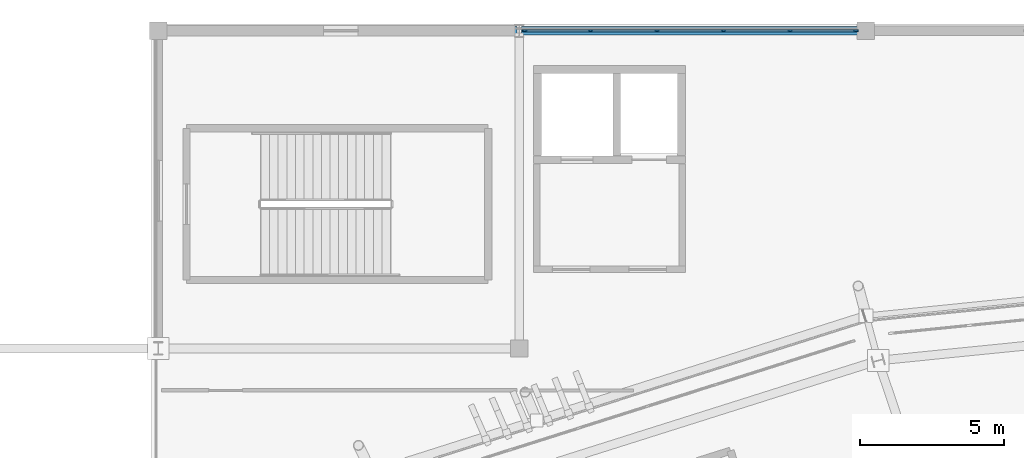
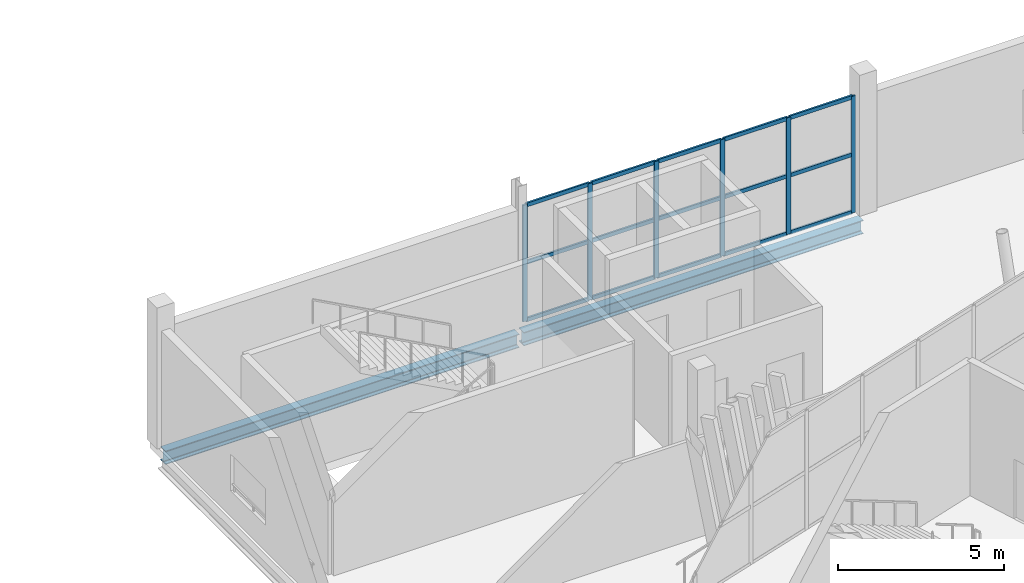
# One storey, part 78 of 178: 21 members, 2 beams, 1 element without a shape of its own.
"""IFC4 building model written with IfcOpenShell, lengths in metres."""

import ifcopenshell
import ifcopenshell.guid

model = None  # the IFC model being written
_history = None  # IfcOwnerHistory: only IFC2X3 demands one
_inside = {}  # id of a spatial element -> (the spatial element, [elements in it])
_under = {}  # id of a project, library or spatial element -> (it, [spatial elements below it])
_declared = {}  # id of a project -> (the project, [libraries it declares])
_typed = {}  # id of a type object -> (the type object, [elements of that type])
_made_of = {}  # id of a material, layer set ... -> (it, [elements and type objects made of it])


def new_model(schema):
    """Start an empty IFC model of exactly this schema.

    Asked for "IFC4X3", IfcOpenShell would pick the latest addendum, in which some entities
    have other attributes; the version numbers below select the first issue.
    IFC2X3 requires an IfcOwnerHistory on every rooted entity: one is made here for all.
    """
    global model, _history
    if schema == "IFC4X3":
        model = ifcopenshell.file(schema_version=(4, 3, 0, 0))
    else:
        model = ifcopenshell.file(schema=schema)
    _inside.clear()
    _under.clear()
    _declared.clear()
    _typed.clear()
    _made_of.clear()
    _history = None
    if model.schema == "IFC2X3":
        org = make("IfcOrganization", Name="unknown")
        user = make(
            "IfcPersonAndOrganization",
            ThePerson=make("IfcPerson", FamilyName="unknown"),
            TheOrganization=org,
        )
        app = make(
            "IfcApplication",
            ApplicationDeveloper=org,
            Version="unknown",
            ApplicationFullName="unknown",
            ApplicationIdentifier="unknown",
        )
        _history = make(
            "IfcOwnerHistory",
            OwningUser=user,
            OwningApplication=app,
            ChangeAction="ADDED",
            CreationDate=0,
        )
    return model


def make(cls, **values):
    """One entity of the class cls with the attributes given. An attribute that is None is left unset."""
    return model.create_entity(
        cls, **{name: value for name, value in values.items() if value is not None}
    )


def rooted(cls, **values):
    """An entity with a GlobalId (a new one), such as an element, a storey or a relation."""
    return make(cls, GlobalId=ifcopenshell.guid.new(), OwnerHistory=_history, **values)


def si_unit(unit_type, name, prefix=None):
    """IfcSIUnit, for example si_unit("LENGTHUNIT", "METRE", prefix="MILLI")."""
    return make("IfcSIUnit", UnitType=unit_type, Prefix=prefix, Name=name)


def assignment(units):
    """IfcUnitAssignment: the units of a project."""
    return None if units is None else make("IfcUnitAssignment", Units=units)


def point(xyz):
    """IfcCartesianPoint."""
    return None if xyz is None else make("IfcCartesianPoint", Coordinates=xyz)


def direction(xyz):
    """IfcDirection."""
    return None if xyz is None else make("IfcDirection", DirectionRatios=xyz)


def frame(location, z_axis=None, x_axis=None):
    """IfcAxis2Placement3D, a coordinate frame: its origin and axes. An axis left out is left unset."""
    return make(
        "IfcAxis2Placement3D",
        Location=point(location),
        Axis=direction(z_axis),
        RefDirection=direction(x_axis),
    )


def frame_2d(location, x_axis=None):
    """IfcAxis2Placement2D, a coordinate frame in the plane: its origin and x axis."""
    return make(
        "IfcAxis2Placement2D", Location=point(location), RefDirection=direction(x_axis)
    )


def origin():
    """The frame at (0, 0, 0) with its axes left unset."""
    return frame((0.0, 0.0, 0.0))


def origin_2d():
    """The frame at (0, 0) in the plane with its x axis left unset."""
    return frame_2d((0.0, 0.0))


def place(relative_to, where):
    """IfcLocalPlacement: puts the frame where relative to a parent placement (None: the world)."""
    return make(
        "IfcLocalPlacement", PlacementRelTo=relative_to, RelativePlacement=where
    )


def context(
    kind, dimensions, precision=None, world=None, true_north=None, identifier=None
):
    """IfcGeometricRepresentationContext, for example the 3D "Model" context."""
    return make(
        "IfcGeometricRepresentationContext",
        ContextIdentifier=identifier,
        ContextType=kind,
        CoordinateSpaceDimension=dimensions,
        Precision=precision,
        WorldCoordinateSystem=world,
        TrueNorth=true_north,
    )


def subcontext(parent, identifier, kind, view, scale=None):
    """IfcGeometricRepresentationSubContext, for example "Body" below "Model"."""
    return make(
        "IfcGeometricRepresentationSubContext",
        ContextIdentifier=identifier,
        ContextType=kind,
        ParentContext=parent,
        TargetScale=scale,
        TargetView=view,
    )


def project(units=None, contexts=None):
    """IfcProject with its units and contexts."""
    return rooted(
        "IfcProject",
        Name="project",
        RepresentationContexts=contexts,
        UnitsInContext=assignment(units),
    )


def spatial(cls, under=None, at=None, **own):
    """A site, building, storey or space (cls), placed at a placement, below another one or the project."""
    s = rooted(cls, ObjectPlacement=at, **own)
    if under is not None:
        _under.setdefault(under.id(), (under, []))[1].append(s)
    return s


def profile(cls, at=None, kind="AREA", **sizes):
    """A parametric profile (cls). Its sizes go by their IFC names, for example OverallWidth=200.0."""
    return make(cls, ProfileType=kind, Position=at, **sizes)


def rectangle(**sizes):
    """IfcRectangleProfileDef."""
    return profile("IfcRectangleProfileDef", **sizes)


def i_section(**sizes):
    """IfcIShapeProfileDef."""
    return profile("IfcIShapeProfileDef", **sizes)


def extrude(swept, where, along, depth):
    """IfcExtrudedAreaSolid: the profile swept, set in the frame where, extruded along a direction by depth."""
    return make(
        "IfcExtrudedAreaSolid",
        SweptArea=swept,
        Position=where,
        ExtrudedDirection=direction(along),
        Depth=depth,
    )


def shape(context_of_items, identifier, shape_type, items):
    """IfcShapeRepresentation: the items that make up one representation, for example the "Body"."""
    return make(
        "IfcShapeRepresentation",
        ContextOfItems=context_of_items,
        RepresentationIdentifier=identifier,
        RepresentationType=shape_type,
        Items=items,
    )


def material(Name=None, Category=None):
    """IfcMaterial."""
    return make("IfcMaterial", Name=Name, Category=Category)


def material_profile(
    of_material, cross_section, Name=None, Category=None, Priority=None
):
    """IfcMaterialProfile: a cross section and its material."""
    return make(
        "IfcMaterialProfile",
        Name=Name,
        Material=of_material,
        Profile=cross_section,
        Priority=Priority,
        Category=Category,
    )


def profile_set(profiles, Name=None, composite=None):
    """IfcMaterialProfileSet."""
    return make(
        "IfcMaterialProfileSet",
        Name=Name,
        MaterialProfiles=profiles,
        CompositeProfile=composite,
    )


def made_of(thing, what):
    """Note that an element or type object is made of a material, layer set ...; save() writes the relation."""
    if what is not None:
        _made_of.setdefault(what.id(), (what, []))[1].append(thing)
    return thing


def type_object(cls, material=None, **own):
    """A type object (cls), such as IfcWallType, which elements share."""
    return made_of(rooted(cls, **own), material)


def element(
    cls,
    number,
    at=None,
    inside=None,
    cuts=None,
    type_object=None,
    material=None,
    context=None,
    identifier="Body",
    shape_type=None,
    held_by="IfcProductDefinitionShape",
    body=None,
    shapes=None,
    **own,
):
    """One element of the class cls, such as IfcWall. Its Tag is "e" and its number.

    at: its placement. inside: the storey or other place that contains it. cuts: it is an
    opening in that element (IfcRelVoidsElement). A single representation is given by context,
    identifier, shape_type and body (its items); several are given by shapes. held_by: the class
    of the entity that holds the representations. save() writes the other relations.
    """
    e = rooted(cls, Tag="e%d" % number, ObjectPlacement=at, **own)
    if body is not None:
        shapes = [shape(context, identifier, shape_type, body)]
    if shapes is not None:
        e.Representation = make(held_by, Representations=shapes)
    if inside is not None:
        _inside.setdefault(inside.id(), (inside, []))[1].append(e)
    if cuts is not None:
        rooted(
            "IfcRelVoidsElement", RelatingBuildingElement=cuts, RelatedOpeningElement=e
        )
    if type_object is not None:
        _typed.setdefault(type_object.id(), (type_object, []))[1].append(e)
    return made_of(e, material)


def aggregate(whole, parts):
    """IfcRelAggregates: a whole, such as a stair, and the parts it consists of."""
    return rooted("IfcRelAggregates", RelatingObject=whole, RelatedObjects=parts)


def save(model, path):
    """Write the relations noted so far, then the file.

    IfcRelAggregates (storeys below a building ...), IfcRelContainedInSpatialStructure (elements
    in a storey), IfcRelDefinesByType, IfcRelAssociatesMaterial and IfcRelDeclares: one each for
    every whole, place, type object, material and project.
    """
    for whole, parts in _under.values():
        aggregate(whole, parts)
    for where, things in _inside.values():
        rooted(
            "IfcRelContainedInSpatialStructure",
            RelatedElements=things,
            RelatingStructure=where,
        )
    for kind, things in _typed.values():
        rooted("IfcRelDefinesByType", RelatedObjects=things, RelatingType=kind)
    for what, things in _made_of.values():
        rooted("IfcRelAssociatesMaterial", RelatedObjects=things, RelatingMaterial=what)
    for by, libraries in _declared.values():
        rooted("IfcRelDeclares", RelatingContext=by, RelatedDefinitions=libraries)
    model.write(path)


model = new_model("IFC4")

# Units and contexts
model_context = context("Model", 3, precision=1e-05, world=origin(), true_north=direction((0.0, 1.0)))
body_context = subcontext(model_context, "Body", "Model", "MODEL_VIEW")
ifc_project = project(units=[si_unit("LENGTHUNIT", "METRE"), si_unit("AREAUNIT", "SQUARE_METRE"), si_unit("VOLUMEUNIT", "CUBIC_METRE"), si_unit("PLANEANGLEUNIT", "RADIAN"), si_unit("MASSUNIT", "GRAM", prefix="KILO")], contexts=[model_context])

# Site, building, storey
site_placement = place(None, origin())
site = spatial("IfcSite", under=ifc_project, at=site_placement, CompositionType="ELEMENT")
building_placement = place(site_placement, origin())
building = spatial("IfcBuilding", under=site, at=building_placement, Name="Zlatoyarsky Gate Stadium", CompositionType="ELEMENT")
storey_placement = place(building_placement, frame((0.0, 0.0, 5.39990234375)))
storey = spatial("IfcBuildingStorey", under=building, at=storey_placement, Name="L01", CompositionType="ELEMENT", Elevation=5.39990234375)

# Curtain wall, members
ifc_material_1 = material(Name="Thermally broken anodised aluminium curtain wall", Category="aluminium")
curtain_wall_type = type_object("IfcCurtainWallType", Name="WINTER GARDEN CONSERVATORY GLAZING", PredefinedType="USERDEFINED", material=ifc_material_1)
curtain_wall_placement = place(storey_placement, origin())
curtain_wall = element("IfcCurtainWall", 1, at=curtain_wall_placement, inside=storey, type_object=curtain_wall_type, Name="Curtain wall CW-V2_NORTH-L01-145", ObjectType="UNITISED GLAZING", PredefinedType="USERDEFINED")
ifc_material_2 = material(Name="Anodised aluminium 6063-T6", Category="aluminium")
ifc_material_profile_1 = material_profile(ifc_material_2, rectangle(XDim=0.06494140625, YDim=0.159912109375, at=origin_2d()), Name="ALU 65X160")
ifc_profile_set_1 = profile_set([ifc_material_profile_1], Name="Anodised aluminium 6063-T6")
member_type_1 = type_object("IfcMemberType", Name="ALUMINIUM MULLION 65X160", PredefinedType="MULLION", material=ifc_profile_set_1)
member_1_placement = place(storey_placement, frame((74.694580078125, 160.0, 0.0), z_axis=(0.0, 0.0, 1.0), x_axis=(0.0, 1.0, 0.0)))
member_1 = element("IfcMember", 2, at=member_1_placement, type_object=member_type_1, Name="CW-WG1 mullion 1", PredefinedType="MULLION", context=body_context, shape_type="SweptSolid", body=[
    extrude(rectangle(XDim=0.06494140625, YDim=0.159912109375, at=origin_2d()), origin(), (0.0, 0.0, 1.0), 4.300048828125),
])
member_2_placement = place(storey_placement, frame((76.96728515625, 160.0, 0.0), z_axis=(0.0, 0.0, 1.0), x_axis=(0.0, 1.0, 0.0)))
member_2 = element("IfcMember", 3, at=member_2_placement, type_object=member_type_1, Name="CW-WG1 mullion 2", PredefinedType="MULLION", context=body_context, shape_type="SweptSolid", body=[
    extrude(rectangle(XDim=0.06494140625, YDim=0.159912109375, at=origin_2d()), origin(), (0.0, 0.0, 1.0), 4.300048828125),
])
member_3_placement = place(storey_placement, frame((79.2724609375, 160.0, 0.0), z_axis=(0.0, 0.0, 1.0), x_axis=(0.0, 1.0, 0.0)))
member_3 = element("IfcMember", 4, at=member_3_placement, type_object=member_type_1, Name="CW-WG1 mullion 3", PredefinedType="MULLION", context=body_context, shape_type="SweptSolid", body=[
    extrude(rectangle(XDim=0.06494140625, YDim=0.159912109375, at=origin_2d()), origin(), (0.0, 0.0, 1.0), 4.300048828125),
])
member_4_placement = place(storey_placement, frame((81.57763671875, 160.0, 0.0), z_axis=(0.0, 0.0, 1.0), x_axis=(0.0, 1.0, 0.0)))
member_4 = element("IfcMember", 5, at=member_4_placement, type_object=member_type_1, Name="CW-WG1 mullion 4", PredefinedType="MULLION", context=body_context, shape_type="SweptSolid", body=[
    extrude(rectangle(XDim=0.06494140625, YDim=0.159912109375, at=origin_2d()), origin(), (0.0, 0.0, 1.0), 4.300048828125),
])
member_5_placement = place(storey_placement, frame((83.8828125, 160.0, 0.0), z_axis=(0.0, 0.0, 1.0), x_axis=(0.0, 1.0, 0.0)))
member_5 = element("IfcMember", 6, at=member_5_placement, type_object=member_type_1, Name="CW-WG1 mullion 5", PredefinedType="MULLION", context=body_context, shape_type="SweptSolid", body=[
    extrude(rectangle(XDim=0.06494140625, YDim=0.159912109375, at=origin_2d()), origin(), (0.0, 0.0, 1.0), 4.300048828125),
])
member_6_placement = place(storey_placement, frame((86.155517578125, 160.0, 0.0), z_axis=(0.0, 0.0, 1.0), x_axis=(0.0, 1.0, 0.0)))
member_6 = element("IfcMember", 7, at=member_6_placement, type_object=member_type_1, Name="CW-WG1 mullion 6", PredefinedType="MULLION", context=body_context, shape_type="SweptSolid", body=[
    extrude(rectangle(XDim=0.06494140625, YDim=0.159912109375, at=origin_2d()), origin(), (0.0, 0.0, 1.0), 4.300048828125),
])
ifc_material_profile_2 = material_profile(ifc_material_2, rectangle(XDim=0.06494140625, YDim=0.139892578125, at=origin_2d()), Name="ALU 65X140")
ifc_profile_set_2 = profile_set([ifc_material_profile_2], Name="Anodised aluminium 6063-T6")
member_type_2 = type_object("IfcMemberType", Name="ALUMINIUM TRANSOM 65X140", PredefinedType="USERDEFINED", material=ifc_profile_set_2)
member_7_placement = place(storey_placement, frame((74.72705078125, 160.0, 0.03271484375), z_axis=(1.0, 0.0, 0.0), x_axis=(0.0, 1.0, 0.0)))
member_7 = element("IfcMember", 8, at=member_7_placement, type_object=member_type_2, Name="CW-WG1 transom 1.1", ObjectType="TRANSOM", PredefinedType="USERDEFINED", context=body_context, shape_type="SweptSolid", body=[
    extrude(rectangle(XDim=0.06494140625, YDim=0.139892578125, at=origin_2d()), origin(), (0.0, 0.0, 1.0), 2.207763671875),
])
member_8_placement = place(storey_placement, frame((74.72705078125, 160.0, 2.150146484375), z_axis=(1.0, 0.0, 0.0), x_axis=(0.0, 1.0, 0.0)))
member_8 = element("IfcMember", 9, at=member_8_placement, type_object=member_type_2, Name="CW-WG1 transom 1.2", ObjectType="TRANSOM", PredefinedType="USERDEFINED", context=body_context, shape_type="SweptSolid", body=[
    extrude(rectangle(XDim=0.06494140625, YDim=0.139892578125, at=origin_2d()), origin(), (0.0, 0.0, 1.0), 2.207763671875),
])
member_9_placement = place(storey_placement, frame((74.72705078125, 160.0, 4.267578125), z_axis=(1.0, 0.0, 0.0), x_axis=(0.0, 1.0, 0.0)))
member_9 = element("IfcMember", 10, at=member_9_placement, type_object=member_type_2, Name="CW-WG1 transom 1.3", ObjectType="TRANSOM", PredefinedType="USERDEFINED", context=body_context, shape_type="SweptSolid", body=[
    extrude(rectangle(XDim=0.06494140625, YDim=0.139892578125, at=origin_2d()), origin(), (0.0, 0.0, 1.0), 2.207763671875),
])
member_10_placement = place(storey_placement, frame((76.999755859375, 160.0, 0.03271484375), z_axis=(1.0, 0.0, 0.0), x_axis=(0.0, 1.0, 0.0)))
member_10 = element("IfcMember", 11, at=member_10_placement, type_object=member_type_2, Name="CW-WG1 transom 2.1", ObjectType="TRANSOM", PredefinedType="USERDEFINED", context=body_context, shape_type="SweptSolid", body=[
    extrude(rectangle(XDim=0.06494140625, YDim=0.139892578125, at=origin_2d()), origin(), (0.0, 0.0, 1.0), 2.240234375),
])
member_11_placement = place(storey_placement, frame((76.999755859375, 160.0, 2.150146484375), z_axis=(1.0, 0.0, 0.0), x_axis=(0.0, 1.0, 0.0)))
member_11 = element("IfcMember", 12, at=member_11_placement, type_object=member_type_2, Name="CW-WG1 transom 2.2", ObjectType="TRANSOM", PredefinedType="USERDEFINED", context=body_context, shape_type="SweptSolid", body=[
    extrude(rectangle(XDim=0.06494140625, YDim=0.139892578125, at=origin_2d()), origin(), (0.0, 0.0, 1.0), 2.240234375),
])
member_12_placement = place(storey_placement, frame((76.999755859375, 160.0, 4.267578125), z_axis=(1.0, 0.0, 0.0), x_axis=(0.0, 1.0, 0.0)))
member_12 = element("IfcMember", 13, at=member_12_placement, type_object=member_type_2, Name="CW-WG1 transom 2.3", ObjectType="TRANSOM", PredefinedType="USERDEFINED", context=body_context, shape_type="SweptSolid", body=[
    extrude(rectangle(XDim=0.06494140625, YDim=0.139892578125, at=origin_2d()), origin(), (0.0, 0.0, 1.0), 2.240234375),
])
member_13_placement = place(storey_placement, frame((79.304931640625, 160.0, 0.03271484375), z_axis=(1.0, 0.0, 0.0), x_axis=(0.0, 1.0, 0.0)))
member_13 = element("IfcMember", 14, at=member_13_placement, type_object=member_type_2, Name="CW-WG1 transom 3.1", ObjectType="TRANSOM", PredefinedType="USERDEFINED", context=body_context, shape_type="SweptSolid", body=[
    extrude(rectangle(XDim=0.06494140625, YDim=0.139892578125, at=origin_2d()), origin(), (0.0, 0.0, 1.0), 2.240234375),
])
member_14_placement = place(storey_placement, frame((79.304931640625, 160.0, 2.150146484375), z_axis=(1.0, 0.0, 0.0), x_axis=(0.0, 1.0, 0.0)))
member_14 = element("IfcMember", 15, at=member_14_placement, type_object=member_type_2, Name="CW-WG1 transom 3.2", ObjectType="TRANSOM", PredefinedType="USERDEFINED", context=body_context, shape_type="SweptSolid", body=[
    extrude(rectangle(XDim=0.06494140625, YDim=0.139892578125, at=origin_2d()), origin(), (0.0, 0.0, 1.0), 2.240234375),
])
member_15_placement = place(storey_placement, frame((79.304931640625, 160.0, 4.267578125), z_axis=(1.0, 0.0, 0.0), x_axis=(0.0, 1.0, 0.0)))
member_15 = element("IfcMember", 16, at=member_15_placement, type_object=member_type_2, Name="CW-WG1 transom 3.3", ObjectType="TRANSOM", PredefinedType="USERDEFINED", context=body_context, shape_type="SweptSolid", body=[
    extrude(rectangle(XDim=0.06494140625, YDim=0.139892578125, at=origin_2d()), origin(), (0.0, 0.0, 1.0), 2.240234375),
])
member_16_placement = place(storey_placement, frame((81.610107421875, 160.0, 0.03271484375), z_axis=(1.0, 0.0, 0.0), x_axis=(0.0, 1.0, 0.0)))
member_16 = element("IfcMember", 17, at=member_16_placement, type_object=member_type_2, Name="CW-WG1 transom 4.1", ObjectType="TRANSOM", PredefinedType="USERDEFINED", context=body_context, shape_type="SweptSolid", body=[
    extrude(rectangle(XDim=0.06494140625, YDim=0.139892578125, at=origin_2d()), origin(), (0.0, 0.0, 1.0), 2.240234375),
])
member_17_placement = place(storey_placement, frame((81.610107421875, 160.0, 2.150146484375), z_axis=(1.0, 0.0, 0.0), x_axis=(0.0, 1.0, 0.0)))
member_17 = element("IfcMember", 18, at=member_17_placement, type_object=member_type_2, Name="CW-WG1 transom 4.2", ObjectType="TRANSOM", PredefinedType="USERDEFINED", context=body_context, shape_type="SweptSolid", body=[
    extrude(rectangle(XDim=0.06494140625, YDim=0.139892578125, at=origin_2d()), origin(), (0.0, 0.0, 1.0), 2.240234375),
])
member_18_placement = place(storey_placement, frame((81.610107421875, 160.0, 4.267578125), z_axis=(1.0, 0.0, 0.0), x_axis=(0.0, 1.0, 0.0)))
member_18 = element("IfcMember", 19, at=member_18_placement, type_object=member_type_2, Name="CW-WG1 transom 4.3", ObjectType="TRANSOM", PredefinedType="USERDEFINED", context=body_context, shape_type="SweptSolid", body=[
    extrude(rectangle(XDim=0.06494140625, YDim=0.139892578125, at=origin_2d()), origin(), (0.0, 0.0, 1.0), 2.240234375),
])
member_19_placement = place(storey_placement, frame((83.915283203125, 160.0, 0.03271484375), z_axis=(1.0, 0.0, 0.0), x_axis=(0.0, 1.0, 0.0)))
member_19 = element("IfcMember", 20, at=member_19_placement, type_object=member_type_2, Name="CW-WG1 transom 5.1", ObjectType="TRANSOM", PredefinedType="USERDEFINED", context=body_context, shape_type="SweptSolid", body=[
    extrude(rectangle(XDim=0.06494140625, YDim=0.139892578125, at=origin_2d()), origin(), (0.0, 0.0, 1.0), 2.207763671875),
])
member_20_placement = place(storey_placement, frame((83.915283203125, 160.0, 2.150146484375), z_axis=(1.0, 0.0, 0.0), x_axis=(0.0, 1.0, 0.0)))
member_20 = element("IfcMember", 21, at=member_20_placement, type_object=member_type_2, Name="CW-WG1 transom 5.2", ObjectType="TRANSOM", PredefinedType="USERDEFINED", context=body_context, shape_type="SweptSolid", body=[
    extrude(rectangle(XDim=0.06494140625, YDim=0.139892578125, at=origin_2d()), origin(), (0.0, 0.0, 1.0), 2.207763671875),
])
member_21_placement = place(storey_placement, frame((83.915283203125, 160.0, 4.267578125), z_axis=(1.0, 0.0, 0.0), x_axis=(0.0, 1.0, 0.0)))
member_21 = element("IfcMember", 22, at=member_21_placement, type_object=member_type_2, Name="CW-WG1 transom 5.3", ObjectType="TRANSOM", PredefinedType="USERDEFINED", context=body_context, shape_type="SweptSolid", body=[
    extrude(rectangle(XDim=0.06494140625, YDim=0.139892578125, at=origin_2d()), origin(), (0.0, 0.0, 1.0), 2.207763671875),
])
aggregate(curtain_wall, [member_1, member_2, member_3, member_4, member_5, member_6, member_7, member_8, member_9, member_10, member_11, member_12, member_13, member_14, member_15, member_16, member_17, member_18, member_19, member_20, member_21])

# Beams
ifc_material_3 = material(Name="Steel S355", Category="steel")
ifc_material_profile_3 = material_profile(ifc_material_3, i_section(OverallWidth=0.300048828125, OverallDepth=0.5, WebThickness=0.014404296875, FlangeThickness=0.028076171875, FilletRadius=0.027099609375, at=origin_2d()), Name="HEB 500")
ifc_profile_set_3 = profile_set([ifc_material_profile_3], Name="Steel S355")
beam_type = type_object("IfcBeamType", Name="STEEL PRIMARY GIRDER HEB 500", PredefinedType="BEAM", material=ifc_profile_set_3)
beam_1_placement = place(storey_placement, frame((62.080078125, 160.0, -0.5498046875), z_axis=(1.0, 0.0, 0.0), x_axis=(0.0, 1.0, 0.0)))
element("IfcBeam", 23, at=beam_1_placement, inside=storey, type_object=beam_type, Name="Beam G-HEB500 BM-L01-WGX-6-Q", PredefinedType="BEAM", context=body_context, shape_type="SweptSolid", body=[
    extrude(i_section(OverallWidth=0.300048828125, OverallDepth=0.5, WebThickness=0.014404296875, FlangeThickness=0.028076171875, FilletRadius=0.027099609375, at=origin_2d()), origin(), (0.0, 0.0, 1.0), 12.33984375),
])
beam_2_placement = place(storey_placement, frame((74.580078125, 160.0, -0.5498046875), z_axis=(1.0, 0.0, 0.0), x_axis=(0.0, 1.0, 0.0)))
element("IfcBeam", 24, at=beam_2_placement, inside=storey, type_object=beam_type, Name="Beam G-HEB500 BM-L01-WGX-7-Q", PredefinedType="BEAM", context=body_context, shape_type="SweptSolid", body=[
    extrude(i_section(OverallWidth=0.300048828125, OverallDepth=0.5, WebThickness=0.014404296875, FlangeThickness=0.028076171875, FilletRadius=0.027099609375, at=origin_2d()), origin(), (0.0, 0.0, 1.0), 11.83984375),
])

save(model, "model.ifc")
